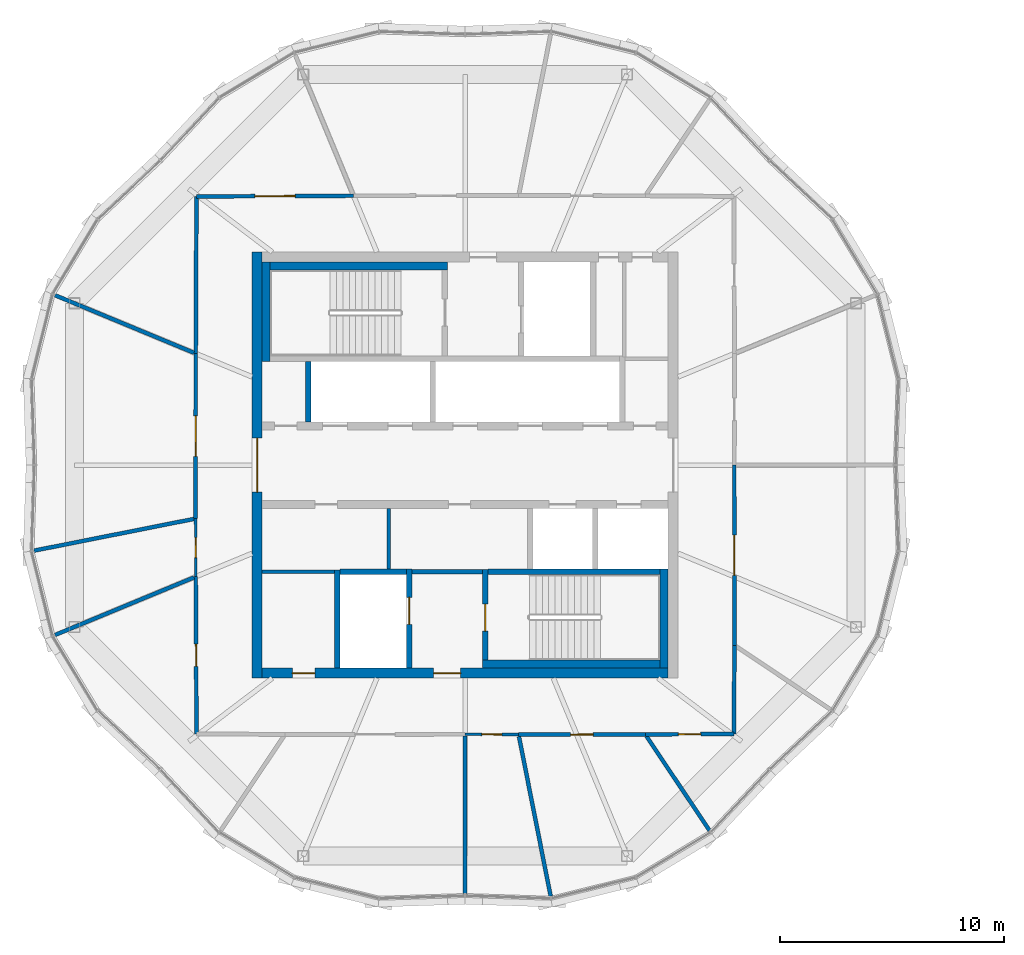
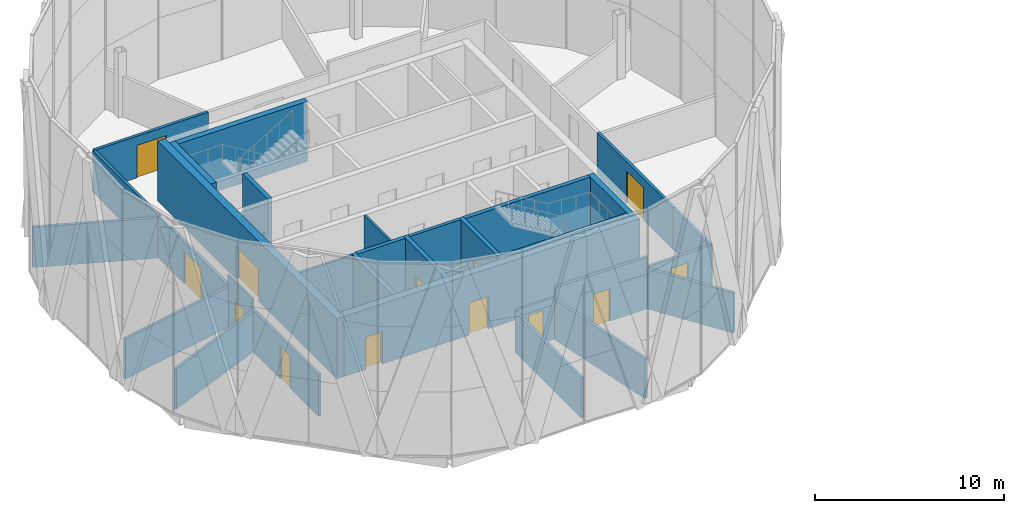
# One storey, part 16 of 23: 31 walls, 13 doors, 13 openings.
"""IFC4 building model written with IfcOpenShell, lengths in metres."""

import ifcopenshell
import ifcopenshell.guid

model = None  # the IFC model being written
_history = None  # IfcOwnerHistory: only IFC2X3 demands one
_inside = {}  # id of a spatial element -> (the spatial element, [elements in it])
_under = {}  # id of a project, library or spatial element -> (it, [spatial elements below it])
_declared = {}  # id of a project -> (the project, [libraries it declares])
_typed = {}  # id of a type object -> (the type object, [elements of that type])
_made_of = {}  # id of a material, layer set ... -> (it, [elements and type objects made of it])


def new_model(schema):
    """Start an empty IFC model of exactly this schema.

    Asked for "IFC4X3", IfcOpenShell would pick the latest addendum, in which some entities
    have other attributes; the version numbers below select the first issue.
    IFC2X3 requires an IfcOwnerHistory on every rooted entity: one is made here for all.
    """
    global model, _history
    if schema == "IFC4X3":
        model = ifcopenshell.file(schema_version=(4, 3, 0, 0))
    else:
        model = ifcopenshell.file(schema=schema)
    _inside.clear()
    _under.clear()
    _declared.clear()
    _typed.clear()
    _made_of.clear()
    _history = None
    if model.schema == "IFC2X3":
        org = make("IfcOrganization", Name="unknown")
        user = make(
            "IfcPersonAndOrganization",
            ThePerson=make("IfcPerson", FamilyName="unknown"),
            TheOrganization=org,
        )
        app = make(
            "IfcApplication",
            ApplicationDeveloper=org,
            Version="unknown",
            ApplicationFullName="unknown",
            ApplicationIdentifier="unknown",
        )
        _history = make(
            "IfcOwnerHistory",
            OwningUser=user,
            OwningApplication=app,
            ChangeAction="ADDED",
            CreationDate=0,
        )
    return model


def make(cls, **values):
    """One entity of the class cls with the attributes given. An attribute that is None is left unset."""
    return model.create_entity(
        cls, **{name: value for name, value in values.items() if value is not None}
    )


def rooted(cls, **values):
    """An entity with a GlobalId (a new one), such as an element, a storey or a relation."""
    return make(cls, GlobalId=ifcopenshell.guid.new(), OwnerHistory=_history, **values)


def si_unit(unit_type, name, prefix=None):
    """IfcSIUnit, for example si_unit("LENGTHUNIT", "METRE", prefix="MILLI")."""
    return make("IfcSIUnit", UnitType=unit_type, Prefix=prefix, Name=name)


def assignment(units):
    """IfcUnitAssignment: the units of a project."""
    return None if units is None else make("IfcUnitAssignment", Units=units)


def point(xyz):
    """IfcCartesianPoint."""
    return None if xyz is None else make("IfcCartesianPoint", Coordinates=xyz)


def direction(xyz):
    """IfcDirection."""
    return None if xyz is None else make("IfcDirection", DirectionRatios=xyz)


def frame(location, z_axis=None, x_axis=None):
    """IfcAxis2Placement3D, a coordinate frame: its origin and axes. An axis left out is left unset."""
    return make(
        "IfcAxis2Placement3D",
        Location=point(location),
        Axis=direction(z_axis),
        RefDirection=direction(x_axis),
    )


def frame_2d(location, x_axis=None):
    """IfcAxis2Placement2D, a coordinate frame in the plane: its origin and x axis."""
    return make(
        "IfcAxis2Placement2D", Location=point(location), RefDirection=direction(x_axis)
    )


def origin():
    """The frame at (0, 0, 0) with its axes left unset."""
    return frame((0.0, 0.0, 0.0))


def place(relative_to, where):
    """IfcLocalPlacement: puts the frame where relative to a parent placement (None: the world)."""
    return make(
        "IfcLocalPlacement", PlacementRelTo=relative_to, RelativePlacement=where
    )


def context(
    kind, dimensions, precision=None, world=None, true_north=None, identifier=None
):
    """IfcGeometricRepresentationContext, for example the 3D "Model" context."""
    return make(
        "IfcGeometricRepresentationContext",
        ContextIdentifier=identifier,
        ContextType=kind,
        CoordinateSpaceDimension=dimensions,
        Precision=precision,
        WorldCoordinateSystem=world,
        TrueNorth=true_north,
    )


def subcontext(parent, identifier, kind, view, scale=None):
    """IfcGeometricRepresentationSubContext, for example "Body" below "Model"."""
    return make(
        "IfcGeometricRepresentationSubContext",
        ContextIdentifier=identifier,
        ContextType=kind,
        ParentContext=parent,
        TargetScale=scale,
        TargetView=view,
    )


def project(units=None, contexts=None):
    """IfcProject with its units and contexts."""
    return rooted(
        "IfcProject",
        Name="project",
        RepresentationContexts=contexts,
        UnitsInContext=assignment(units),
    )


def spatial(cls, under=None, at=None, **own):
    """A site, building, storey or space (cls), placed at a placement, below another one or the project."""
    s = rooted(cls, ObjectPlacement=at, **own)
    if under is not None:
        _under.setdefault(under.id(), (under, []))[1].append(s)
    return s


def profile(cls, at=None, kind="AREA", **sizes):
    """A parametric profile (cls). Its sizes go by their IFC names, for example OverallWidth=200.0."""
    return make(cls, ProfileType=kind, Position=at, **sizes)


def rectangle(**sizes):
    """IfcRectangleProfileDef."""
    return profile("IfcRectangleProfileDef", **sizes)


def extrude(swept, where, along, depth):
    """IfcExtrudedAreaSolid: the profile swept, set in the frame where, extruded along a direction by depth."""
    return make(
        "IfcExtrudedAreaSolid",
        SweptArea=swept,
        Position=where,
        ExtrudedDirection=direction(along),
        Depth=depth,
    )


def shape(context_of_items, identifier, shape_type, items):
    """IfcShapeRepresentation: the items that make up one representation, for example the "Body"."""
    return make(
        "IfcShapeRepresentation",
        ContextOfItems=context_of_items,
        RepresentationIdentifier=identifier,
        RepresentationType=shape_type,
        Items=items,
    )


def material(Name=None, Category=None):
    """IfcMaterial."""
    return make("IfcMaterial", Name=Name, Category=Category)


def layer(
    of_material, thickness, ventilated=None, Name=None, Category=None, Priority=None
):
    """IfcMaterialLayer: one layer of a wall or slab, of a material (None: an air gap)."""
    return make(
        "IfcMaterialLayer",
        Material=of_material,
        LayerThickness=thickness,
        IsVentilated=ventilated,
        Name=Name,
        Category=Category,
        Priority=Priority,
    )


def layer_set(layers, Name=None):
    """IfcMaterialLayerSet."""
    return make("IfcMaterialLayerSet", MaterialLayers=layers, LayerSetName=Name)


def made_of(thing, what):
    """Note that an element or type object is made of a material, layer set ...; save() writes the relation."""
    if what is not None:
        _made_of.setdefault(what.id(), (what, []))[1].append(thing)
    return thing


def type_object(cls, material=None, **own):
    """A type object (cls), such as IfcWallType, which elements share."""
    return made_of(rooted(cls, **own), material)


def element(
    cls,
    number,
    at=None,
    inside=None,
    cuts=None,
    type_object=None,
    material=None,
    context=None,
    identifier="Body",
    shape_type=None,
    held_by="IfcProductDefinitionShape",
    body=None,
    shapes=None,
    **own,
):
    """One element of the class cls, such as IfcWall. Its Tag is "e" and its number.

    at: its placement. inside: the storey or other place that contains it. cuts: it is an
    opening in that element (IfcRelVoidsElement). A single representation is given by context,
    identifier, shape_type and body (its items); several are given by shapes. held_by: the class
    of the entity that holds the representations. save() writes the other relations.
    """
    e = rooted(cls, Tag="e%d" % number, ObjectPlacement=at, **own)
    if body is not None:
        shapes = [shape(context, identifier, shape_type, body)]
    if shapes is not None:
        e.Representation = make(held_by, Representations=shapes)
    if inside is not None:
        _inside.setdefault(inside.id(), (inside, []))[1].append(e)
    if cuts is not None:
        rooted(
            "IfcRelVoidsElement", RelatingBuildingElement=cuts, RelatedOpeningElement=e
        )
    if type_object is not None:
        _typed.setdefault(type_object.id(), (type_object, []))[1].append(e)
    return made_of(e, material)


def fill(opening, filler):
    """IfcRelFillsElement: the door or window that sits in an opening."""
    return rooted(
        "IfcRelFillsElement",
        RelatingOpeningElement=opening,
        RelatedBuildingElement=filler,
    )


def aggregate(whole, parts):
    """IfcRelAggregates: a whole, such as a stair, and the parts it consists of."""
    return rooted("IfcRelAggregates", RelatingObject=whole, RelatedObjects=parts)


def save(model, path):
    """Write the relations noted so far, then the file.

    IfcRelAggregates (storeys below a building ...), IfcRelContainedInSpatialStructure (elements
    in a storey), IfcRelDefinesByType, IfcRelAssociatesMaterial and IfcRelDeclares: one each for
    every whole, place, type object, material and project.
    """
    for whole, parts in _under.values():
        aggregate(whole, parts)
    for where, things in _inside.values():
        rooted(
            "IfcRelContainedInSpatialStructure",
            RelatedElements=things,
            RelatingStructure=where,
        )
    for kind, things in _typed.values():
        rooted("IfcRelDefinesByType", RelatedObjects=things, RelatingType=kind)
    for what, things in _made_of.values():
        rooted("IfcRelAssociatesMaterial", RelatedObjects=things, RelatingMaterial=what)
    for by, libraries in _declared.values():
        rooted("IfcRelDeclares", RelatingContext=by, RelatedDefinitions=libraries)
    model.write(path)


model = new_model("IFC4")

# Units and contexts
model_context = context("Model", 3, precision=1e-05, world=origin(), true_north=direction((0.0, 1.0)))
body_context = subcontext(model_context, "Body", "Model", "MODEL_VIEW")
ifc_project = project(units=[si_unit("LENGTHUNIT", "METRE"), si_unit("AREAUNIT", "SQUARE_METRE"), si_unit("VOLUMEUNIT", "CUBIC_METRE"), si_unit("PLANEANGLEUNIT", "RADIAN"), si_unit("MASSUNIT", "GRAM", prefix="KILO")], contexts=[model_context])

# Site, building, storey
site_placement = place(None, origin())
site = spatial("IfcSite", under=ifc_project, at=site_placement, CompositionType="ELEMENT")
building_placement = place(site_placement, origin())
building = spatial("IfcBuilding", under=site, at=building_placement, Name="Ogive Gate Towers", CompositionType="ELEMENT")
storey_placement = place(building_placement, frame((0.0, 0.0, 256.199951171875)))
storey = spatial("IfcBuildingStorey", under=building, at=storey_placement, Name="L60", CompositionType="ELEMENT", Elevation=256.199951171875)

# Walls
ifc_material_1 = material(Name="Gypsum board acoustic partition")
ifc_layer_1 = layer(ifc_material_1, 0.175048828125)
ifc_layer_set_1 = layer_set([ifc_layer_1], Name="Acoustic partition 175")
wall_type_1 = type_object("IfcWallType", Name="Acoustic partition 175", PredefinedType="PARTITIONING", material=ifc_layer_set_1)
wall_1_placement = place(storey_placement, frame((-54.29296875, 7.5771484375, 0.0), z_axis=(0.0, 0.0, 1.0), x_axis=(0.923882053966, -0.382677344977, 0.0)))
element("IfcWall", 1, at=wall_1_placement, inside=storey, type_object=wall_type_1, Name="Partition T1-L60-006", PredefinedType="PARTITIONING", context=body_context, shape_type="SweptSolid", body=[
    extrude(rectangle(XDim=6.711669921875, YDim=0.175048828125, at=frame_2d((3.35595703125, 0.0))), origin(), (0.0, 0.0, 1.0), 2.60009765625),
])
wall_2_placement = place(storey_placement, frame((-55.224609375, -3.814697265625, 0.0), z_axis=(0.0, 0.0, 1.0), x_axis=(0.980875686276, 0.194635269344, 0.0)))
element("IfcWall", 2, at=wall_2_placement, inside=storey, type_object=wall_type_1, Name="Partition T1-L60-007", PredefinedType="PARTITIONING", context=body_context, shape_type="SweptSolid", body=[
    extrude(rectangle(XDim=7.261474609375, YDim=0.175048828125, at=frame_2d((3.630859375, 0.0))), origin(), (0.0, 0.0, 1.0), 2.60009765625),
])
wall_3_placement = place(storey_placement, frame((-54.29296875, -7.5771484375, 0.0), z_axis=(0.0, 0.0, 1.0), x_axis=(0.923882053966, 0.382677344977, 0.0)))
element("IfcWall", 3, at=wall_3_placement, inside=storey, type_object=wall_type_1, Name="Partition T1-L60-008", PredefinedType="PARTITIONING", context=body_context, shape_type="SweptSolid", body=[
    extrude(rectangle(XDim=6.711669921875, YDim=0.175048828125, at=frame_2d((3.35595703125, 0.0))), origin(), (0.0, 0.0, 1.0), 2.60009765625),
])
wall_4_placement = place(storey_placement, frame((-36.0, -19.09912109375, 0.0), z_axis=(0.0, 0.0, 1.0), x_axis=(0.0, 1.0, 0.0)))
element("IfcWall", 4, at=wall_4_placement, inside=storey, type_object=wall_type_1, Name="Partition T1-L60-010", PredefinedType="PARTITIONING", context=body_context, shape_type="SweptSolid", body=[
    extrude(rectangle(XDim=7.011474609375, YDim=0.175048828125, at=frame_2d((3.505859375, 0.0))), origin(), (0.0, 0.0, 1.0), 2.60009765625),
])
wall_5_placement = place(storey_placement, frame((-32.185302734375, -19.224609375, 0.0), z_axis=(0.0, 0.0, 1.0), x_axis=(-0.194635269344, 0.980875686276, 0.0)))
element("IfcWall", 5, at=wall_5_placement, inside=storey, type_object=wall_type_1, Name="Partition T1-L60-011", PredefinedType="PARTITIONING", context=body_context, shape_type="SweptSolid", body=[
    extrude(rectangle(XDim=7.261474609375, YDim=0.175048828125, at=frame_2d((3.630859375, 0.0))), origin(), (0.0, 0.0, 1.0), 2.60009765625),
])
wall_6_placement = place(storey_placement, frame((-25.103515625, -16.291259765625, 0.0), z_axis=(0.0, 0.0, 1.0), x_axis=(-0.555968529854, 0.831203340833, 0.0)))
element("IfcWall", 6, at=wall_6_placement, inside=storey, type_object=wall_type_1, Name="Partition T1-L60-012", PredefinedType="PARTITIONING", context=body_context, shape_type="SweptSolid", body=[
    extrude(rectangle(XDim=5.061279296875, YDim=0.175048828125, at=frame_2d((2.53076171875, 0.0))), origin(), (0.0, 0.0, 1.0), 2.60009765625),
])

# Wall, opening, door
wall_7_placement = place(storey_placement, frame((-33.615478515625, -12.016357421875, 0.0), z_axis=(0.0, 0.0, 1.0), x_axis=(0.999999626489, 0.000864303912, 0.0)))
wall_7 = element("IfcWall", 7, at=wall_7_placement, inside=storey, type_object=wall_type_1, Name="Partition T1-L60-015", PredefinedType="PARTITIONING", context=body_context, shape_type="SweptSolid", body=[
    extrude(rectangle(XDim=5.6494140625, YDim=0.175048828125, at=frame_2d((2.82470703125, 0.0))), origin(), (0.0, 0.0, 1.0), 3.35009765625),
])
opening_1_placement = place(wall_7_placement, frame((2.324951171875, 0.0, 0.0)))
opening_1 = element("IfcOpeningElement", 8, at=opening_1_placement, cuts=wall_7, Name="Opening T1-L60-D02", PredefinedType="OPENING", context=body_context, shape_type="SweptSolid", body=[
    extrude(rectangle(XDim=1.0, YDim=2.10009765625, at=frame_2d((0.5, 1.050048828125))), frame((0.0, 0.09765625, 0.0), z_axis=(0.0, -1.0, 0.0), x_axis=(1.0, 0.0, 0.0)), (0.0, 0.0, 1.0), 0.195068359375),
])
ifc_material_2 = material(Name="Timber door", Category="wood")
door_type_1 = type_object("IfcDoorType", Name="Door 1000", OperationType="NOTDEFINED", PredefinedType="DOOR", material=ifc_material_2)
door_1_placement = place(opening_1_placement, origin())
door_1 = element("IfcDoor", 9, at=door_1_placement, inside=storey, type_object=door_type_1, Name="Door T1-L60-D02", OperationType="SINGLE_SWING_LEFT", OverallHeight=2.10009765625, OverallWidth=1.0, PredefinedType="DOOR", context=body_context, shape_type="SweptSolid", body=[
    extrude(rectangle(XDim=1.0, YDim=2.10009765625, at=frame_2d((0.5, 1.050048828125))), frame((0.0, 0.02490234375, 0.0), z_axis=(0.0, -1.0, 0.0), x_axis=(1.0, 0.0, 0.0)), (0.0, 0.0, 1.0), 0.050048828125),
])
fill(opening_1, door_1)

wall_8_placement = place(storey_placement, frame((-27.966064453125, -12.011474609375, 0.0), z_axis=(0.0, 0.0, 1.0), x_axis=(0.999968151812, 0.007980937424, 0.0)))
wall_8 = element("IfcWall", 10, at=wall_8_placement, inside=storey, type_object=wall_type_1, Name="Partition T1-L60-016", PredefinedType="PARTITIONING", context=body_context, shape_type="SweptSolid", body=[
    extrude(rectangle(XDim=3.9462890625, YDim=0.175048828125, at=frame_2d((1.97314453125, 0.0))), origin(), (0.0, 0.0, 1.0), 2.699951171875),
])
opening_2_placement = place(wall_8_placement, frame((1.472900390625, 0.0, 0.0)))
opening_2 = element("IfcOpeningElement", 11, at=opening_2_placement, cuts=wall_8, Name="Opening T1-L60-D03", PredefinedType="OPENING", context=body_context, shape_type="SweptSolid", body=[
    extrude(rectangle(XDim=1.0, YDim=2.10009765625, at=frame_2d((0.5, 1.050048828125))), frame((0.0, 0.09765625, 0.0), z_axis=(0.0, -1.0, 0.0), x_axis=(1.0, 0.0, 0.0)), (0.0, 0.0, 1.0), 0.195068359375),
])
door_2_placement = place(opening_2_placement, origin())
door_2 = element("IfcDoor", 12, at=door_2_placement, inside=storey, type_object=door_type_1, Name="Door T1-L60-D03", OperationType="SINGLE_SWING_RIGHT", OverallHeight=2.10009765625, OverallWidth=1.0, PredefinedType="DOOR", context=body_context, shape_type="SweptSolid", body=[
    extrude(rectangle(XDim=1.0, YDim=2.10009765625, at=frame_2d((0.5, 1.050048828125))), frame((0.0, 0.02490234375, 0.0), z_axis=(0.0, -1.0, 0.0), x_axis=(1.0, 0.0, 0.0)), (0.0, 0.0, 1.0), 0.050048828125),
])
fill(opening_2, door_2)

# Wall
wall_9_placement = place(storey_placement, frame((-24.02001953125, -11.97998046875, 0.0), z_axis=(0.0, 0.0, 1.0), x_axis=(0.007980937424, 0.999968151812, 0.0)))
element("IfcWall", 13, at=wall_9_placement, inside=storey, type_object=wall_type_1, Name="Partition T1-L60-017", PredefinedType="PARTITIONING", context=body_context, shape_type="SweptSolid", body=[
    extrude(rectangle(XDim=3.9462890625, YDim=0.175048828125, at=frame_2d((1.97314453125, 0.0))), origin(), (0.0, 0.0, 1.0), 2.699951171875),
])

# Wall, opening, door
wall_10_placement = place(storey_placement, frame((-23.988525390625, -8.033935546875, 0.0), z_axis=(0.0, 0.0, 1.0), x_axis=(-0.001428266085, 0.999998980027, 0.0)))
wall_10 = element("IfcWall", 14, at=wall_10_placement, inside=storey, type_object=wall_type_1, Name="Partition T1-L60-018", PredefinedType="PARTITIONING", context=body_context, shape_type="SweptSolid", body=[
    extrude(rectangle(XDim=8.033935546875, YDim=0.175048828125, at=frame_2d((4.01708984375, 0.0))), origin(), (0.0, 0.0, 1.0), 2.699951171875),
])
opening_3_placement = place(wall_10_placement, frame((3.116943359375, 0.0, 0.0)))
opening_3 = element("IfcOpeningElement", 15, at=opening_3_placement, cuts=wall_10, Name="Opening T1-L60-D04", PredefinedType="OPENING", context=body_context, shape_type="SweptSolid", body=[
    extrude(rectangle(XDim=1.800048828125, YDim=2.10009765625, at=frame_2d((0.89990234375, 1.050048828125))), frame((0.0, 0.09765625, 0.0), z_axis=(0.0, -1.0, 0.0), x_axis=(1.0, 0.0, 0.0)), (0.0, 0.0, 1.0), 0.195068359375),
])
door_type_2 = type_object("IfcDoorType", Name="Door pair 1800", OperationType="NOTDEFINED", PredefinedType="DOOR", material=ifc_material_2)
door_3_placement = place(opening_3_placement, origin())
door_3 = element("IfcDoor", 16, at=door_3_placement, inside=storey, type_object=door_type_2, Name="Door T1-L60-D04", OperationType="DOUBLE_DOOR_DOUBLE_SWING", OverallHeight=2.10009765625, OverallWidth=1.800048828125, PredefinedType="DOOR", context=body_context, shape_type="SweptSolid", body=[
    extrude(rectangle(XDim=1.800048828125, YDim=2.10009765625, at=frame_2d((0.89990234375, 1.050048828125))), frame((0.0, 0.02490234375, 0.0), z_axis=(0.0, -1.0, 0.0), x_axis=(1.0, 0.0, 0.0)), (0.0, 0.0, 1.0), 0.050048828125),
])
fill(opening_3, door_3)

wall_11_placement = place(storey_placement, frame((-40.975341796875, 12.011474609375, 0.0), z_axis=(0.0, 0.0, 1.0), x_axis=(-0.99998989232, -0.004496138026, 0.0)))
wall_11 = element("IfcWall", 17, at=wall_11_placement, inside=storey, type_object=wall_type_1, Name="Partition T1-L60-024", PredefinedType="PARTITIONING", context=body_context, shape_type="SweptSolid", body=[
    extrude(rectangle(XDim=7.004638671875, YDim=0.175048828125, at=frame_2d((3.50244140625, 0.0))), origin(), (0.0, 0.0, 1.0), 2.699951171875),
])
opening_4_placement = place(wall_11_placement, frame((2.60205078125, 0.0, 0.0)))
opening_4 = element("IfcOpeningElement", 18, at=opening_4_placement, cuts=wall_11, Name="Opening T1-L60-D09", PredefinedType="OPENING", context=body_context, shape_type="SweptSolid", body=[
    extrude(rectangle(XDim=1.800048828125, YDim=2.10009765625, at=frame_2d((0.89990234375, 1.050048828125))), frame((0.0, 0.09765625, 0.0), z_axis=(0.0, -1.0, 0.0), x_axis=(1.0, 0.0, 0.0)), (0.0, 0.0, 1.0), 0.195068359375),
])
door_4_placement = place(opening_4_placement, origin())
door_4 = element("IfcDoor", 19, at=door_4_placement, inside=storey, type_object=door_type_2, Name="Door T1-L60-D09", OperationType="DOUBLE_DOOR_DOUBLE_SWING", OverallHeight=2.10009765625, OverallWidth=1.800048828125, PredefinedType="DOOR", context=body_context, shape_type="SweptSolid", body=[
    extrude(rectangle(XDim=1.800048828125, YDim=2.10009765625, at=frame_2d((0.89990234375, 1.050048828125))), frame((0.0, 0.02490234375, 0.0), z_axis=(0.0, -1.0, 0.0), x_axis=(1.0, 0.0, 0.0)), (0.0, 0.0, 1.0), 0.050048828125),
])
fill(opening_4, door_4)

# Wall
wall_12_placement = place(storey_placement, frame((-47.97998046875, 11.97998046875, 0.0), z_axis=(0.0, 0.0, 1.0), x_axis=(-0.004496138026, -0.99998989232, 0.0)))
element("IfcWall", 20, at=wall_12_placement, inside=storey, type_object=wall_type_1, Name="Partition T1-L60-025", PredefinedType="PARTITIONING", context=body_context, shape_type="SweptSolid", body=[
    extrude(rectangle(XDim=7.004638671875, YDim=0.175048828125, at=frame_2d((3.50244140625, 0.0))), origin(), (0.0, 0.0, 1.0), 2.699951171875),
])

# Wall, opening, door
wall_13_placement = place(storey_placement, frame((-48.011474609375, 4.975341796875, 0.0), z_axis=(0.0, 0.0, 1.0), x_axis=(-0.000663437789, -0.999999779925, 0.0)))
wall_13 = element("IfcWall", 21, at=wall_13_placement, inside=storey, type_object=wall_type_1, Name="Partition T1-L60-026", PredefinedType="PARTITIONING", context=body_context, shape_type="SweptSolid", body=[
    extrude(rectangle(XDim=7.35986328125, YDim=0.175048828125, at=frame_2d((3.679931640625, 0.0))), origin(), (0.0, 0.0, 1.0), 2.699951171875),
])
opening_5_placement = place(wall_13_placement, frame((2.780029296875, 0.0, 0.0)))
opening_5 = element("IfcOpeningElement", 22, at=opening_5_placement, cuts=wall_13, Name="Opening T1-L60-D10", PredefinedType="OPENING", context=body_context, shape_type="SweptSolid", body=[
    extrude(rectangle(XDim=1.800048828125, YDim=2.10009765625, at=frame_2d((0.89990234375, 1.050048828125))), frame((0.0, 0.09765625, 0.0), z_axis=(0.0, -1.0, 0.0), x_axis=(1.0, 0.0, 0.0)), (0.0, 0.0, 1.0), 0.195068359375),
])
door_5_placement = place(opening_5_placement, origin())
door_5 = element("IfcDoor", 23, at=door_5_placement, inside=storey, type_object=door_type_2, Name="Door T1-L60-D10", OperationType="DOUBLE_DOOR_DOUBLE_SWING", OverallHeight=2.10009765625, OverallWidth=1.800048828125, PredefinedType="DOOR", context=body_context, shape_type="SweptSolid", body=[
    extrude(rectangle(XDim=1.800048828125, YDim=2.10009765625, at=frame_2d((0.89990234375, 1.050048828125))), frame((0.0, 0.02490234375, 0.0), z_axis=(0.0, -1.0, 0.0), x_axis=(1.0, 0.0, 0.0)), (0.0, 0.0, 1.0), 0.050048828125),
])
fill(opening_5, door_5)

wall_14_placement = place(storey_placement, frame((-48.011474609375, -4.975341796875, 0.0), z_axis=(0.0, 0.0, 1.0), x_axis=(0.004496138026, -0.99998989232, 0.0)))
wall_14 = element("IfcWall", 24, at=wall_14_placement, inside=storey, type_object=wall_type_1, Name="Partition T1-L60-028", PredefinedType="PARTITIONING", context=body_context, shape_type="SweptSolid", body=[
    extrude(rectangle(XDim=7.004638671875, YDim=0.175048828125, at=frame_2d((3.50244140625, 0.0))), origin(), (0.0, 0.0, 1.0), 2.699951171875),
])
opening_6_placement = place(wall_14_placement, frame((3.001953125, 0.0, 0.0)))
opening_6 = element("IfcOpeningElement", 25, at=opening_6_placement, cuts=wall_14, Name="Opening T1-L60-D12", PredefinedType="OPENING", context=body_context, shape_type="SweptSolid", body=[
    extrude(rectangle(XDim=1.0, YDim=2.10009765625, at=frame_2d((0.5, 1.050048828125))), frame((0.0, 0.09765625, 0.0), z_axis=(0.0, -1.0, 0.0), x_axis=(1.0, 0.0, 0.0)), (0.0, 0.0, 1.0), 0.195068359375),
])
door_6_placement = place(opening_6_placement, origin())
door_6 = element("IfcDoor", 26, at=door_6_placement, inside=storey, type_object=door_type_1, Name="Door T1-L60-D12", OperationType="SINGLE_SWING_RIGHT", OverallHeight=2.10009765625, OverallWidth=1.0, PredefinedType="DOOR", context=body_context, shape_type="SweptSolid", body=[
    extrude(rectangle(XDim=1.0, YDim=2.10009765625, at=frame_2d((0.5, 1.050048828125))), frame((0.0, 0.02490234375, 0.0), z_axis=(0.0, -1.0, 0.0), x_axis=(1.0, 0.0, 0.0)), (0.0, 0.0, 1.0), 0.050048828125),
])
fill(opening_6, door_6)

# Wall
ifc_material_3 = material(Name="Masonry blockwork", Category="masonry")
ifc_layer_2 = layer(ifc_material_3, 0.199951171875)
ifc_layer_set_2 = layer_set([ifc_layer_2], Name="Blockwork wall 200 mm")
wall_type_2 = type_object("IfcWallType", Name="Blockwork wall 200 mm", PredefinedType="PARTITIONING", material=ifc_layer_set_2)
wall_15_placement = place(storey_placement, frame((-38.375, -4.75, 0.0), z_axis=(0.0, 0.0, 1.0), x_axis=(1.0, 0.0, 0.0)))
element("IfcWall", 27, at=wall_15_placement, inside=storey, type_object=wall_type_2, Name="T1 L60 Blockwork wall 200 mm", PredefinedType="PARTITIONING", context=body_context, shape_type="SweptSolid", body=[
    extrude(rectangle(XDim=3.14990234375, YDim=0.199951171875, at=frame_2d((1.574951171875, 0.0))), origin(), (0.0, 0.0, 1.0), 3.900146484375),
])

# Wall, openings, doors
ifc_material_4 = material(Name="Concrete C60/75", Category="concrete")
ifc_layer_3 = layer(ifc_material_4, 0.449951171875)
ifc_layer_set_3 = layer_set([ifc_layer_3], Name="Core wall 450 mm")
wall_type_3 = type_object("IfcWallType", Name="Core wall 450 mm", PredefinedType="SHEAR", material=ifc_layer_set_3)
wall_16_placement = place(storey_placement, frame((-45.050048828125, -9.27490234375, 0.0), z_axis=(0.0, 0.0, 1.0), x_axis=(1.0, 0.0, 0.0)))
wall_16 = element("IfcWall", 28, at=wall_16_placement, inside=storey, type_object=wall_type_3, Name="T1 L60 Core wall 450 mm", PredefinedType="SHEAR", context=body_context, shape_type="SweptSolid", body=[
    extrude(rectangle(XDim=18.10009765625, YDim=0.449951171875, at=frame_2d((9.050048828125, 0.0))), origin(), (0.0, 0.0, 1.0), 3.900146484375),
])
opening_7_placement = place(wall_16_placement, frame((7.64990234375, 0.0, 0.0)))
opening_7 = element("IfcOpeningElement", 29, at=opening_7_placement, cuts=wall_16, Name="Opening KD-T1-L60-19", PredefinedType="OPENING", context=body_context, shape_type="SweptSolid", body=[
    extrude(rectangle(XDim=1.199951171875, YDim=2.10009765625, at=frame_2d((0.60009765625, 1.050048828125))), frame((0.0, 0.23486328125, 0.0), z_axis=(0.0, -1.0, 0.0), x_axis=(1.0, 0.0, 0.0)), (0.0, 0.0, 1.0), 0.469970703125),
])
opening_8_placement = place(wall_16_placement, frame((1.35009765625, 0.0, 0.0)))
opening_8 = element("IfcOpeningElement", 30, at=opening_8_placement, cuts=wall_16, Name="Opening KD-T1-L60-22", PredefinedType="OPENING", context=body_context, shape_type="SweptSolid", body=[
    extrude(rectangle(XDim=1.0, YDim=2.10009765625, at=frame_2d((0.5, 1.050048828125))), frame((0.0, 0.23486328125, 0.0), z_axis=(0.0, -1.0, 0.0), x_axis=(1.0, 0.0, 0.0)), (0.0, 0.0, 1.0), 0.469970703125),
])
door_type_3 = type_object("IfcDoorType", Name="Accessible WC door 1000 x 2100", OperationType="NOTDEFINED", PredefinedType="DOOR", material=ifc_material_2)
door_7_placement = place(opening_8_placement, origin())
door_7 = element("IfcDoor", 31, at=door_7_placement, inside=storey, type_object=door_type_3, Name="T1 L60 Core door", OperationType="SINGLE_SWING_LEFT", OverallHeight=2.10009765625, OverallWidth=1.0, PredefinedType="DOOR", context=body_context, shape_type="SweptSolid", body=[
    extrude(rectangle(XDim=1.0, YDim=2.10009765625, at=frame_2d((0.5, 1.050048828125))), frame((0.0, 0.02490234375, 0.0), z_axis=(0.0, -1.0, 0.0), x_axis=(1.0, 0.0, 0.0)), (0.0, 0.0, 1.0), 0.050048828125),
])
fill(opening_8, door_7)
ifc_material_5 = material(Name="Steel fire door", Category="steel")
door_type_4 = type_object("IfcDoorType", Name="Core door FD60S 1200 x 2100", OperationType="NOTDEFINED", PredefinedType="DOOR", material=ifc_material_5)
door_8_placement = place(opening_7_placement, origin())
door_8 = element("IfcDoor", 32, at=door_8_placement, inside=storey, type_object=door_type_4, Name="T1 L60 Fire-fighting lobby door", OperationType="SINGLE_SWING_RIGHT", OverallHeight=2.10009765625, OverallWidth=1.199951171875, PredefinedType="DOOR", context=body_context, shape_type="SweptSolid", body=[
    extrude(rectangle(XDim=1.199951171875, YDim=2.10009765625, at=frame_2d((0.60009765625, 1.050048828125))), frame((0.0, 0.02490234375, 0.0), z_axis=(0.0, -1.0, 0.0), x_axis=(1.0, 0.0, 0.0)), (0.0, 0.0, 1.0), 0.050048828125),
])
fill(opening_7, door_8)

# Wall, opening, door
wall_17_placement = place(storey_placement, frame((-45.27490234375, -9.5, 0.0), z_axis=(0.0, 0.0, 1.0), x_axis=(0.0, 1.0, 0.0)))
wall_17 = element("IfcWall", 33, at=wall_17_placement, inside=storey, type_object=wall_type_3, Name="T1 L60 Core wall 450 mm", PredefinedType="SHEAR", context=body_context, shape_type="SweptSolid", body=[
    extrude(rectangle(XDim=19.0, YDim=0.449951171875, at=frame_2d((9.5, 0.0))), origin(), (0.0, 0.0, 1.0), 3.900146484375),
])
opening_9_placement = place(wall_17_placement, frame((8.300048828125, 0.0, 0.0)))
opening_9 = element("IfcOpeningElement", 34, at=opening_9_placement, cuts=wall_17, Name="Opening KD-T1-L60-01", PredefinedType="OPENING", context=body_context, shape_type="SweptSolid", body=[
    extrude(rectangle(XDim=2.39990234375, YDim=2.10009765625, at=frame_2d((1.199951171875, 1.050048828125))), frame((0.0, 0.23486328125, 0.0), z_axis=(0.0, -1.0, 0.0), x_axis=(1.0, 0.0, 0.0)), (0.0, 0.0, 1.0), 0.469970703125),
])
door_type_5 = type_object("IfcDoorType", Name="Core double door FD60S 2400 x 2100", OperationType="DOUBLE_DOOR_SINGLE_SWING", PredefinedType="DOOR", material=ifc_material_5)
door_9_placement = place(opening_9_placement, origin())
door_9 = element("IfcDoor", 35, at=door_9_placement, inside=storey, type_object=door_type_5, Name="T1 L60 Core door double", OperationType="DOUBLE_DOOR_SINGLE_SWING", OverallHeight=2.10009765625, OverallWidth=2.39990234375, PredefinedType="DOOR", context=body_context, shape_type="SweptSolid", body=[
    extrude(rectangle(XDim=2.39990234375, YDim=2.10009765625, at=frame_2d((1.199951171875, 1.050048828125))), frame((0.0, 0.02490234375, 0.0), z_axis=(0.0, -1.0, 0.0), x_axis=(1.0, 0.0, 0.0)), (0.0, 0.0, 1.0), 0.050048828125),
])
fill(opening_9, door_9)

ifc_material_6 = material(Name="Gypsum board partition")
ifc_layer_4 = layer(ifc_material_6, 0.125)
ifc_layer_set_4 = layer_set([ifc_layer_4], Name="Partition 125")
wall_type_4 = type_object("IfcWallType", Name="Partition 125", PredefinedType="PARTITIONING", material=ifc_layer_set_4)
wall_18_placement = place(storey_placement, frame((-36.0, -12.0, 0.0), z_axis=(0.0, 0.0, 1.0), x_axis=(0.999976472168, -0.006859672738, 0.0)))
wall_18 = element("IfcWall", 36, at=wall_18_placement, inside=storey, type_object=wall_type_4, Name="Partition T1-L60-014", PredefinedType="PARTITIONING", context=body_context, shape_type="SweptSolid", body=[
    extrude(rectangle(XDim=2.384521484375, YDim=0.125, at=frame_2d((1.1923828125, 0.0))), origin(), (0.0, 0.0, 1.0), 2.699951171875),
])
opening_10_placement = place(wall_18_placement, frame((0.741943359375, 0.0, 0.0)))
opening_10 = element("IfcOpeningElement", 37, at=opening_10_placement, cuts=wall_18, Name="Opening T1-L60-D01", PredefinedType="OPENING", context=body_context, shape_type="SweptSolid", body=[
    extrude(rectangle(XDim=0.89990234375, YDim=2.10009765625, at=frame_2d((0.449951171875, 1.050048828125))), frame((0.0, 0.072509765625, 0.0), z_axis=(0.0, -1.0, 0.0), x_axis=(1.0, 0.0, 0.0)), (0.0, 0.0, 1.0), 0.14501953125),
])
door_type_6 = type_object("IfcDoorType", Name="Door 900", OperationType="NOTDEFINED", PredefinedType="DOOR", material=ifc_material_2)
door_10_placement = place(opening_10_placement, origin())
door_10 = element("IfcDoor", 38, at=door_10_placement, inside=storey, type_object=door_type_6, Name="Door T1-L60-D01", OperationType="SINGLE_SWING_LEFT", OverallHeight=2.10009765625, OverallWidth=0.89990234375, PredefinedType="DOOR", context=body_context, shape_type="SweptSolid", body=[
    extrude(rectangle(XDim=0.89990234375, YDim=2.10009765625, at=frame_2d((0.449951171875, 1.050048828125))), frame((0.0, 0.02490234375, 0.0), z_axis=(0.0, -1.0, 0.0), x_axis=(1.0, 0.0, 0.0)), (0.0, 0.0, 1.0), 0.050048828125),
])
fill(opening_10, door_10)

wall_19_placement = place(storey_placement, frame((-48.016357421875, -2.384521484375, 0.0), z_axis=(0.0, 0.0, 1.0), x_axis=(0.00188465553, -0.999998224035, 0.0)))
wall_19 = element("IfcWall", 39, at=wall_19_placement, inside=storey, type_object=wall_type_4, Name="Partition T1-L60-027", PredefinedType="PARTITIONING", context=body_context, shape_type="SweptSolid", body=[
    extrude(rectangle(XDim=2.5908203125, YDim=0.125, at=frame_2d((1.29541015625, 0.0))), origin(), (0.0, 0.0, 1.0), 3.35009765625),
])
opening_11_placement = place(wall_19_placement, frame((0.844970703125, 0.0, 0.0)))
opening_11 = element("IfcOpeningElement", 40, at=opening_11_placement, cuts=wall_19, Name="Opening T1-L60-D11", PredefinedType="OPENING", context=body_context, shape_type="SweptSolid", body=[
    extrude(rectangle(XDim=0.89990234375, YDim=2.10009765625, at=frame_2d((0.449951171875, 1.050048828125))), frame((0.0, 0.072509765625, 0.0), z_axis=(0.0, -1.0, 0.0), x_axis=(1.0, 0.0, 0.0)), (0.0, 0.0, 1.0), 0.14501953125),
])
door_11_placement = place(opening_11_placement, origin())
door_11 = element("IfcDoor", 41, at=door_11_placement, inside=storey, type_object=door_type_6, Name="Door T1-L60-D11", OperationType="SINGLE_SWING_LEFT", OverallHeight=2.10009765625, OverallWidth=0.89990234375, PredefinedType="DOOR", context=body_context, shape_type="SweptSolid", body=[
    extrude(rectangle(XDim=0.89990234375, YDim=2.10009765625, at=frame_2d((0.449951171875, 1.050048828125))), frame((0.0, 0.02490234375, 0.0), z_axis=(0.0, -1.0, 0.0), x_axis=(1.0, 0.0, 0.0)), (0.0, 0.0, 1.0), 0.050048828125),
])
fill(opening_11, door_11)

# Walls
ifc_layer_5 = layer(ifc_material_6, 0.14990234375)
ifc_layer_set_5 = layer_set([ifc_layer_5], Name="Room partition 150 mm")
wall_type_5 = type_object("IfcWallType", Name="Room partition 150 mm", PredefinedType="PARTITIONING", material=ifc_layer_set_5)
wall_20_placement = place(storey_placement, frame((-45.050048828125, -4.75, 0.0), z_axis=(0.0, 0.0, 1.0), x_axis=(1.0, 0.0, 0.0)))
element("IfcWall", 42, at=wall_20_placement, inside=storey, type_object=wall_type_5, Name="T1 L60 Room partition 150 mm", PredefinedType="PARTITIONING", context=body_context, shape_type="SweptSolid", body=[
    extrude(rectangle(XDim=3.22509765625, YDim=0.14990234375, at=frame_2d((1.612548828125, 0.0))), origin(), (0.0, 0.0, 1.0), 3.900146484375),
])
wall_21_placement = place(storey_placement, frame((-39.39990234375, -4.625, 0.0), z_axis=(0.0, 0.0, 1.0), x_axis=(0.0, 1.0, 0.0)))
element("IfcWall", 43, at=wall_21_placement, inside=storey, type_object=wall_type_5, Name="T1 L60 Room partition 150 mm", PredefinedType="PARTITIONING", context=body_context, shape_type="SweptSolid", body=[
    extrude(rectangle(XDim=2.699951171875, YDim=0.14990234375, at=frame_2d((1.35009765625, 0.0))), origin(), (0.0, 0.0, 1.0), 3.900146484375),
])
ifc_layer_6 = layer(ifc_material_4, 0.25)
ifc_layer_set_6 = layer_set([ifc_layer_6], Name="Shaft wall 250 mm")
wall_type_6 = type_object("IfcWallType", Name="Shaft wall 250 mm", PredefinedType="SHEAR", material=ifc_layer_set_6)
wall_22_placement = place(storey_placement, frame((-41.574951171875, -4.75, 0.0), z_axis=(0.0, 0.0, 1.0), x_axis=(1.0, 0.0, 0.0)))
element("IfcWall", 44, at=wall_22_placement, inside=storey, type_object=wall_type_6, Name="T1 L60 Shaft wall 250 mm", PredefinedType="SHEAR", context=body_context, shape_type="SweptSolid", body=[
    extrude(rectangle(XDim=2.949951171875, YDim=0.25, at=frame_2d((1.47509765625, 0.0))), origin(), (0.0, 0.0, 1.0), 3.900146484375),
])
wall_23_placement = place(storey_placement, frame((-34.97509765625, -4.75, 0.0), z_axis=(0.0, 0.0, 1.0), x_axis=(1.0, 0.0, 0.0)))
element("IfcWall", 45, at=wall_23_placement, inside=storey, type_object=wall_type_6, Name="T1 L60 Shaft wall 250 mm", PredefinedType="SHEAR", context=body_context, shape_type="SweptSolid", body=[
    extrude(rectangle(XDim=7.675048828125, YDim=0.25, at=frame_2d((3.83740234375, 0.0))), origin(), (0.0, 0.0, 1.0), 3.900146484375),
])
wall_24_placement = place(storey_placement, frame((-43.0, 1.925048828125, 0.0), z_axis=(0.0, 0.0, 1.0), x_axis=(0.0, 1.0, 0.0)))
element("IfcWall", 46, at=wall_24_placement, inside=storey, type_object=wall_type_6, Name="T1 L60 Shaft wall 250 mm", PredefinedType="SHEAR", context=body_context, shape_type="SweptSolid", body=[
    extrude(rectangle(XDim=2.699951171875, YDim=0.25, at=frame_2d((1.35009765625, 0.0))), origin(), (0.0, 0.0, 1.0), 3.900146484375),
])
wall_25_placement = place(storey_placement, frame((-41.699951171875, -9.050048828125, 0.0), z_axis=(0.0, 0.0, 1.0), x_axis=(0.0, 1.0, 0.0)))
element("IfcWall", 47, at=wall_25_placement, inside=storey, type_object=wall_type_6, Name="T1 L60 Shaft wall 250 mm", PredefinedType="SHEAR", context=body_context, shape_type="SweptSolid", body=[
    extrude(rectangle(XDim=4.375, YDim=0.25, at=frame_2d((2.1875, 0.0))), origin(), (0.0, 0.0, 1.0), 3.900146484375),
])

# Wall, opening, door
wall_26_placement = place(storey_placement, frame((-38.5, -9.050048828125, 0.0), z_axis=(0.0, 0.0, 1.0), x_axis=(0.0, 1.0, 0.0)))
wall_26 = element("IfcWall", 48, at=wall_26_placement, inside=storey, type_object=wall_type_6, Name="T1 L60 Shaft wall 250 mm", PredefinedType="SHEAR", context=body_context, shape_type="SweptSolid", body=[
    extrude(rectangle(XDim=4.425048828125, YDim=0.25, at=frame_2d((2.21240234375, 0.0))), origin(), (0.0, 0.0, 1.0), 3.900146484375),
])
opening_12_placement = place(wall_26_placement, frame((1.949951171875, 0.0, 0.0)))
opening_12 = element("IfcOpeningElement", 49, at=opening_12_placement, cuts=wall_26, Name="Opening LD-T1-L60-13", PredefinedType="OPENING", context=body_context, shape_type="SweptSolid", body=[
    extrude(rectangle(XDim=1.199951171875, YDim=2.10009765625, at=frame_2d((0.60009765625, 1.050048828125))), frame((0.0, 0.135009765625, 0.0), z_axis=(0.0, -1.0, 0.0), x_axis=(1.0, 0.0, 0.0)), (0.0, 0.0, 1.0), 0.27001953125),
])
ifc_material_7 = material(Name="Stainless steel landing door", Category="steel")
door_type_7 = type_object("IfcDoorType", Name="Landing door 1200 x 2100", OperationType="SLIDING_TO_LEFT", PredefinedType="DOOR", material=ifc_material_7)
door_12_placement = place(opening_12_placement, origin())
door_12 = element("IfcDoor", 50, at=door_12_placement, inside=storey, type_object=door_type_7, Name="T1 L60 Lift landing door FF2", OperationType="SLIDING_TO_LEFT", OverallHeight=2.10009765625, OverallWidth=1.199951171875, PredefinedType="DOOR", context=body_context, shape_type="SweptSolid", body=[
    extrude(rectangle(XDim=1.199951171875, YDim=2.10009765625, at=frame_2d((0.60009765625, 1.050048828125))), frame((0.0, 0.02490234375, 0.0), z_axis=(0.0, -1.0, 0.0), x_axis=(1.0, 0.0, 0.0)), (0.0, 0.0, 1.0), 0.050048828125),
])
fill(opening_12, door_12)

wall_27_placement = place(storey_placement, frame((-35.10009765625, -8.699951171875, 0.0), z_axis=(0.0, 0.0, 1.0), x_axis=(0.0, 1.0, 0.0)))
wall_27 = element("IfcWall", 51, at=wall_27_placement, inside=storey, type_object=wall_type_6, Name="T1 L60 Shaft wall 250 mm", PredefinedType="SHEAR", context=body_context, shape_type="SweptSolid", body=[
    extrude(rectangle(XDim=4.050048828125, YDim=0.25, at=frame_2d((2.02490234375, 0.0))), origin(), (0.0, 0.0, 1.0), 3.900146484375),
])
opening_13_placement = place(wall_27_placement, frame((1.300048828125, 0.0, 0.0)))
opening_13 = element("IfcOpeningElement", 52, at=opening_13_placement, cuts=wall_27, Name="Opening KD-T1-L60-17", PredefinedType="OPENING", context=body_context, shape_type="SweptSolid", body=[
    extrude(rectangle(XDim=1.199951171875, YDim=2.10009765625, at=frame_2d((0.60009765625, 1.050048828125))), frame((0.0, 0.135009765625, 0.0), z_axis=(0.0, -1.0, 0.0), x_axis=(1.0, 0.0, 0.0)), (0.0, 0.0, 1.0), 0.27001953125),
])
door_13_placement = place(opening_13_placement, origin())
door_13 = element("IfcDoor", 53, at=door_13_placement, inside=storey, type_object=door_type_4, Name="T1 L60 Stair door", OperationType="SINGLE_SWING_RIGHT", OverallHeight=2.10009765625, OverallWidth=1.199951171875, PredefinedType="DOOR", context=body_context, shape_type="SweptSolid", body=[
    extrude(rectangle(XDim=1.199951171875, YDim=2.10009765625, at=frame_2d((0.60009765625, 1.050048828125))), frame((0.0, 0.02490234375, 0.0), z_axis=(0.0, -1.0, 0.0), x_axis=(1.0, 0.0, 0.0)), (0.0, 0.0, 1.0), 0.050048828125),
])
fill(opening_13, door_13)

# Walls
ifc_layer_7 = layer(ifc_material_4, 0.35009765625)
ifc_layer_set_7 = layer_set([ifc_layer_7], Name="Stair wall 350 mm")
wall_type_7 = type_object("IfcWallType", Name="Stair wall 350 mm", PredefinedType="SHEAR", material=ifc_layer_set_7)
for number, where, z_axis, x_axis, name in (
    (54, (-35.22509765625, -8.875, 0.0), (0.0, 0.0, 1.0), (1.0, 0.0, 0.0), "T1 L60 Stair wall 350 mm"),
    (55, (-44.699951171875, 8.875, 0.0), (0.0, 0.0, 1.0), (1.0, 0.0, 0.0), "T1 L60 Stair wall 350 mm"),
):
    element("IfcWall", number, at=place(storey_placement, frame(where, z_axis=z_axis, x_axis=x_axis)), inside=storey, type_object=wall_type_7, Name=name, PredefinedType="SHEAR", context=body_context, shape_type="SweptSolid", body=[
        extrude(rectangle(XDim=7.925048828125, YDim=0.35009765625, at=frame_2d((3.96240234375, 0.0))), origin(), (0.0, 0.0, 1.0), 3.900146484375),
    ])
for number, where, z_axis, x_axis, name in (
    (56, (-44.875, 4.625, 0.0), (0.0, 0.0, 1.0), (0.0, 1.0, 0.0), "T1 L60 Stair wall 350 mm"),
    (57, (-27.125, -9.050048828125, 0.0), (0.0, 0.0, 1.0), (0.0, 1.0, 0.0), "T1 L60 Stair wall 350 mm"),
):
    element("IfcWall", number, at=place(storey_placement, frame(where, z_axis=z_axis, x_axis=x_axis)), inside=storey, type_object=wall_type_7, Name=name, PredefinedType="SHEAR", context=body_context, shape_type="SweptSolid", body=[
        extrude(rectangle(XDim=4.425048828125, YDim=0.35009765625, at=frame_2d((2.21240234375, 0.0))), origin(), (0.0, 0.0, 1.0), 3.900146484375),
    ])

save(model, "model.ifc")
